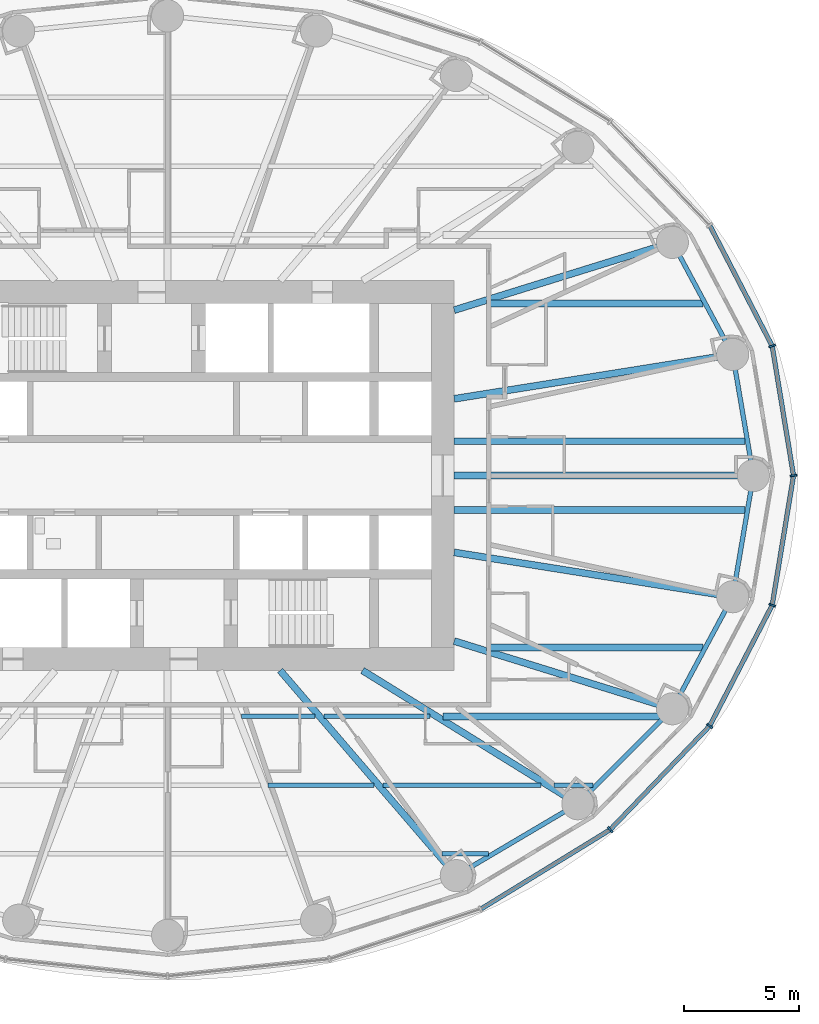
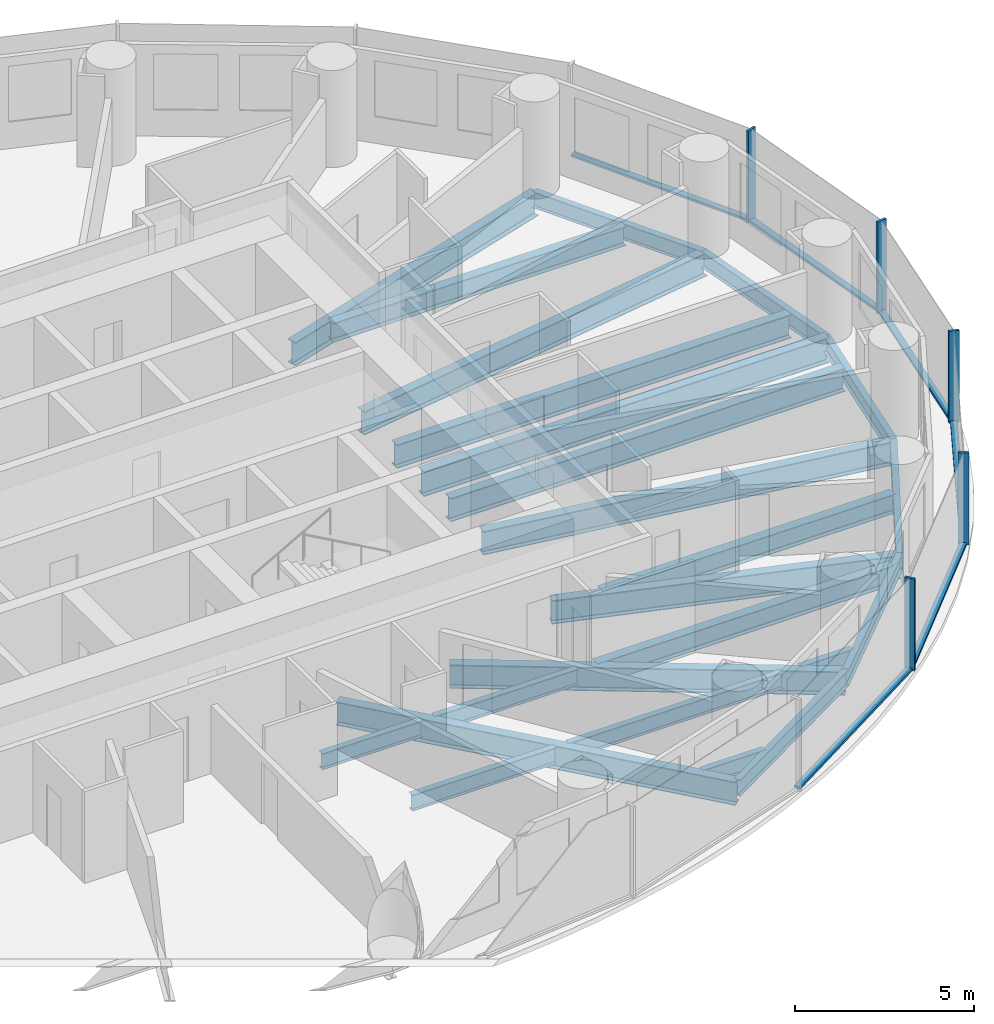
# One storey, part 3 of 16: 24 beams, 11 members, 2 elements without a shape of their own.
"""IFC4 building model written with IfcOpenShell, lengths in metres."""

from ifc_helpers import new_model, si_unit, direction, frame, origin, origin_2d, place, context, subcontext, project, spatial, rectangle, i_section, extrude, material, material_profile, profile_set, type_object, element, aggregate, save


model = new_model("IFC4")

# Units and contexts
model_context = context("Model", 3, precision=1e-05, world=origin(), true_north=direction((0.0, 1.0)))
body_context = subcontext(model_context, "Body", "Model", "MODEL_VIEW")
ifc_project = project(units=[si_unit("LENGTHUNIT", "METRE"), si_unit("AREAUNIT", "SQUARE_METRE"), si_unit("VOLUMEUNIT", "CUBIC_METRE"), si_unit("PLANEANGLEUNIT", "RADIAN"), si_unit("MASSUNIT", "GRAM", prefix="KILO")], contexts=[model_context])

# Site, building, storey
site_placement = place(None, origin())
site = spatial("IfcSite", under=ifc_project, at=site_placement, CompositionType="ELEMENT")
building_placement = place(site_placement, origin())
building = spatial("IfcBuilding", under=site, at=building_placement, Name="Hankou Lantern Tower", CompositionType="ELEMENT")
storey_placement = place(building_placement, frame((0.0, 0.0, 70.5)))
storey = spatial("IfcBuildingStorey", under=building, at=storey_placement, Name="L17", CompositionType="ELEMENT", Elevation=70.5)

# Beams
ifc_material_1 = material(Name="Steel Q355B", Category="steel")
ifc_material_profile_1 = material_profile(ifc_material_1, i_section(OverallWidth=0.199951171875, OverallDepth=0.550048828125, WebThickness=0.010009765625, FlangeThickness=0.01611328125, FilletRadius=0.012939453125, at=origin_2d()), Name="HN550x200x10x16")
ifc_profile_set_1 = profile_set([ifc_material_profile_1], Name="Steel Q355B")
beam_type_1 = type_object("IfcBeamType", Name="EB6 RING BEAM HN550x200x10x16", PredefinedType="SPANDREL", material=ifc_profile_set_1)
beam_1_placement = place(storey_placement, frame((25.550048828125, 0.0, -0.455078125), z_axis=(-0.168489691988, 0.985703415685, 0.0), x_axis=(-0.985703415685, -0.168489691988, 0.0)))
element("IfcBeam", 1, at=beam_1_placement, inside=storey, type_object=beam_type_1, Name="Ring beam R01-R02 L17", PredefinedType="SPANDREL", context=body_context, shape_type="SweptSolid", body=[
    extrude(i_section(OverallWidth=0.199951171875, OverallDepth=0.550048828125, WebThickness=0.010009765625, FlangeThickness=0.01611328125, FilletRadius=0.012939453125, at=origin_2d()), origin(), (0.0, 0.0, 1.0), 5.35986328125),
])
beam_2_placement = place(storey_placement, frame((24.64697265625, 5.283203125, -0.455078125), z_axis=(-0.473609096023, 0.880735161194, 0.0), x_axis=(-0.880735161194, -0.473609096023, 0.0)))
element("IfcBeam", 2, at=beam_2_placement, inside=storey, type_object=beam_type_1, Name="Ring beam R02-R03 L17", PredefinedType="SPANDREL", context=body_context, shape_type="SweptSolid", body=[
    extrude(i_section(OverallWidth=0.199951171875, OverallDepth=0.550048828125, WebThickness=0.010009765625, FlangeThickness=0.01611328125, FilletRadius=0.012939453125, at=origin_2d()), origin(), (0.0, 0.0, 1.0), 5.548828125),
])
beam_3_placement = place(storey_placement, frame((12.5908203125, -17.446533203125, -0.455078125), z_axis=(0.860881533543, 0.508805449268, 0.0), x_axis=(-0.508805449268, 0.860881533543, 0.0)))
element("IfcBeam", 3, at=beam_3_placement, inside=storey, type_object=beam_type_1, Name="Ring beam R21-R22 L17", PredefinedType="SPANDREL", context=body_context, shape_type="SweptSolid", body=[
    extrude(i_section(OverallWidth=0.199951171875, OverallDepth=0.550048828125, WebThickness=0.010009765625, FlangeThickness=0.01611328125, FilletRadius=0.012939453125, at=origin_2d()), origin(), (0.0, 0.0, 1.0), 6.15771484375),
])
beam_4_placement = place(storey_placement, frame((17.891845703125, -14.3134765625, -0.455078125), z_axis=(0.705727798394, 0.708483079949, 0.0), x_axis=(-0.708483079949, 0.705727798394, 0.0)))
element("IfcBeam", 4, at=beam_4_placement, inside=storey, type_object=beam_type_1, Name="Ring beam R22-R23 L17", PredefinedType="SPANDREL", context=body_context, shape_type="SweptSolid", body=[
    extrude(i_section(OverallWidth=0.199951171875, OverallDepth=0.550048828125, WebThickness=0.010009765625, FlangeThickness=0.01611328125, FilletRadius=0.012939453125, at=origin_2d()), origin(), (0.0, 0.0, 1.0), 5.84814453125),
])
beam_5_placement = place(storey_placement, frame((22.01904296875, -10.170166015625, -0.455078125), z_axis=(0.473609096023, 0.880735161194, 0.0), x_axis=(-0.880735161194, 0.473609096023, 0.0)))
element("IfcBeam", 5, at=beam_5_placement, inside=storey, type_object=beam_type_1, Name="Ring beam R23-R24 L17", PredefinedType="SPANDREL", context=body_context, shape_type="SweptSolid", body=[
    extrude(i_section(OverallWidth=0.199951171875, OverallDepth=0.550048828125, WebThickness=0.010009765625, FlangeThickness=0.01611328125, FilletRadius=0.012939453125, at=origin_2d()), origin(), (0.0, 0.0, 1.0), 5.548828125),
])
beam_6_placement = place(storey_placement, frame((24.64697265625, -5.283203125, -0.455078125), z_axis=(0.168489691988, 0.985703415685, 0.0), x_axis=(-0.985703415685, 0.168489691988, 0.0)))
element("IfcBeam", 6, at=beam_6_placement, inside=storey, type_object=beam_type_1, Name="Ring beam R24-R01 L17", PredefinedType="SPANDREL", context=body_context, shape_type="SweptSolid", body=[
    extrude(i_section(OverallWidth=0.199951171875, OverallDepth=0.550048828125, WebThickness=0.010009765625, FlangeThickness=0.01611328125, FilletRadius=0.012939453125, at=origin_2d()), origin(), (0.0, 0.0, 1.0), 5.35986328125),
])

# Curtain wall, members
ifc_material_2 = material(Name="Glass, dark grey tinted laminated", Category="glass")
curtain_wall_type = type_object("IfcCurtainWallType", Name="CWA OUTER SKIN LOW-RISE", PredefinedType="USERDEFINED", material=ifc_material_2)
curtain_wall_1_placement = place(storey_placement, origin())
curtain_wall_1 = element("IfcCurtainWall", 7, at=curtain_wall_1_placement, inside=storey, type_object=curtain_wall_type, Name="CWA L17 OS1", ObjectType="OUTER SKIN LOW-RISE", PredefinedType="USERDEFINED")
ifc_material_3 = material(Name="Aluminium, black anodised", Category="aluminium")
ifc_material_profile_2 = material_profile(ifc_material_3, rectangle(XDim=0.080078125, YDim=0.300048828125, at=origin_2d()), Name="MU1 80X300")
ifc_profile_set_2 = profile_set([ifc_material_profile_2], Name="Aluminium, black anodised")
member_type_1 = type_object("IfcMemberType", Name="MU1 OUTER SKIN MULLION 80X300", PredefinedType="MULLION", material=ifc_profile_set_2)
member_1_placement = place(storey_placement, frame((27.300048828125, 0.0, 0.0), z_axis=(0.0, 0.0, 1.0), x_axis=(-0.162381515188, 0.986728049427, 0.0)))
member_1 = element("IfcMember", 8, at=member_1_placement, type_object=member_type_1, Name="CWA mullion 1", PredefinedType="MULLION", context=body_context, shape_type="SweptSolid", body=[
    extrude(rectangle(XDim=0.080078125, YDim=0.300048828125, at=origin_2d()), origin(), (0.0, 0.0, 1.0), 3.1201171875),
])
member_2_placement = place(storey_placement, frame((26.369873046875, 5.652587890625, 0.0), z_axis=(0.0, 0.0, 1.0), x_axis=(-0.317595577365, 0.94822626479, 0.0)))
member_2 = element("IfcMember", 9, at=member_2_placement, type_object=member_type_1, Name="CWA mullion 2", PredefinedType="MULLION", context=body_context, shape_type="SweptSolid", body=[
    extrude(rectangle(XDim=0.080078125, YDim=0.300048828125, at=origin_2d()), origin(), (0.0, 0.0, 1.0), 3.1201171875),
])

curtain_wall_2_placement = place(storey_placement, origin())
curtain_wall_2 = element("IfcCurtainWall", 10, at=curtain_wall_2_placement, inside=storey, type_object=curtain_wall_type, Name="CWA L17 OS4", ObjectType="OUTER SKIN LOW-RISE", PredefinedType="USERDEFINED")
member_3_placement = place(storey_placement, frame((19.303955078125, -15.443115234375, 0.0), z_axis=(0.0, 0.0, 1.0), x_axis=(0.780868809444, 0.624695047553, 0.0)))
member_3 = element("IfcMember", 11, at=member_3_placement, type_object=member_type_1, Name="CWA mullion 4", PredefinedType="MULLION", context=body_context, shape_type="SweptSolid", body=[
    extrude(rectangle(XDim=0.080078125, YDim=0.300048828125, at=origin_2d()), origin(), (0.0, 0.0, 1.0), 3.1201171875),
])
member_4_placement = place(storey_placement, frame((23.642578125, -10.919921875, 0.0), z_axis=(0.0, 0.0, 1.0), x_axis=(0.585205735974, 0.810884854084, 0.0)))
member_4 = element("IfcMember", 12, at=member_4_placement, type_object=member_type_1, Name="CWA mullion 5", PredefinedType="MULLION", context=body_context, shape_type="SweptSolid", body=[
    extrude(rectangle(XDim=0.080078125, YDim=0.300048828125, at=origin_2d()), origin(), (0.0, 0.0, 1.0), 3.1201171875),
])
member_5_placement = place(storey_placement, frame((26.369873046875, -5.652587890625, 0.0), z_axis=(0.0, 0.0, 1.0), x_axis=(0.317595577365, 0.94822626479, 0.0)))
member_5 = element("IfcMember", 13, at=member_5_placement, type_object=member_type_1, Name="CWA mullion 6", PredefinedType="MULLION", context=body_context, shape_type="SweptSolid", body=[
    extrude(rectangle(XDim=0.080078125, YDim=0.300048828125, at=origin_2d()), origin(), (0.0, 0.0, 1.0), 3.1201171875),
])

# Beams
ifc_material_4 = material(Name="Steel Q355B", Category="steel")
ifc_material_profile_3 = material_profile(ifc_material_4, i_section(OverallWidth=0.300048828125, OverallDepth=0.800048828125, WebThickness=0.013916015625, FlangeThickness=0.02587890625, FilletRadius=0.01806640625, at=origin_2d()), Name="HN800x300x14x26")
ifc_profile_set_3 = profile_set([ifc_material_profile_3], Name="Steel Q355B")
beam_type_2 = type_object("IfcBeamType", Name="RB11 RADIAL BEAM HN800x300x14x26", PredefinedType="BEAM", material=ifc_profile_set_3)
beam_7_placement = place(storey_placement, frame((12.5, 3.349365234375, -0.580078125), z_axis=(0.987563081343, 0.157223281893, 0.0), x_axis=(-0.157223281893, 0.987563081343, 0.0)))
element("IfcBeam", 14, at=beam_7_placement, inside=storey, type_object=beam_type_2, Name="Radial beam R02 L17", PredefinedType="BEAM", context=body_context, shape_type="SweptSolid", body=[
    extrude(i_section(OverallWidth=0.300048828125, OverallDepth=0.800048828125, WebThickness=0.013916015625, FlangeThickness=0.02587890625, FilletRadius=0.01806640625, at=origin_2d()), origin(), (0.0, 0.0, 1.0), 12.300048828125),
])
beam_8_placement = place(storey_placement, frame((12.5, 7.216796875, -0.580078125), z_axis=(0.955087327755, 0.29632447817, 0.0), x_axis=(-0.29632447817, 0.955087327755, 0.0)))
element("IfcBeam", 15, at=beam_8_placement, inside=storey, type_object=beam_type_2, Name="Radial beam R03 L17", PredefinedType="BEAM", context=body_context, shape_type="SweptSolid", body=[
    extrude(i_section(OverallWidth=0.300048828125, OverallDepth=0.800048828125, WebThickness=0.013916015625, FlangeThickness=0.02587890625, FilletRadius=0.01806640625, at=origin_2d()), origin(), (0.0, 0.0, 1.0), 9.966552734375),
])
beam_9_placement = place(storey_placement, frame((4.907470703125, -8.5, -0.580078125), z_axis=(0.651519061225, -0.758632264579, 0.0), x_axis=(0.758632264579, 0.651519061225, 0.0)))
element("IfcBeam", 16, at=beam_9_placement, inside=storey, type_object=beam_type_2, Name="Radial beam R21 L17", PredefinedType="BEAM", context=body_context, shape_type="SweptSolid", body=[
    extrude(i_section(OverallWidth=0.300048828125, OverallDepth=0.800048828125, WebThickness=0.013916015625, FlangeThickness=0.02587890625, FilletRadius=0.01806640625, at=origin_2d()), origin(), (0.0, 0.0, 1.0), 11.79296875),
])
beam_10_placement = place(storey_placement, frame((8.5, -8.5, -0.580078125), z_axis=(0.850286343288, -0.526320372414, 0.0), x_axis=(0.526320372414, 0.850286343288, 0.0)))
element("IfcBeam", 17, at=beam_10_placement, inside=storey, type_object=beam_type_2, Name="Radial beam R22 L17", PredefinedType="BEAM", context=body_context, shape_type="SweptSolid", body=[
    extrude(i_section(OverallWidth=0.300048828125, OverallDepth=0.800048828125, WebThickness=0.013916015625, FlangeThickness=0.02587890625, FilletRadius=0.01806640625, at=origin_2d()), origin(), (0.0, 0.0, 1.0), 11.04541015625),
])
beam_11_placement = place(storey_placement, frame((12.5, -7.216796875, -0.580078125), z_axis=(0.955087327755, -0.29632447817, 0.0), x_axis=(0.29632447817, 0.955087327755, 0.0)))
element("IfcBeam", 18, at=beam_11_placement, inside=storey, type_object=beam_type_2, Name="Radial beam R23 L17", PredefinedType="BEAM", context=body_context, shape_type="SweptSolid", body=[
    extrude(i_section(OverallWidth=0.300048828125, OverallDepth=0.800048828125, WebThickness=0.013916015625, FlangeThickness=0.02587890625, FilletRadius=0.01806640625, at=origin_2d()), origin(), (0.0, 0.0, 1.0), 9.966552734375),
])
beam_12_placement = place(storey_placement, frame((12.5, -3.349365234375, -0.580078125), z_axis=(0.987563081343, -0.157223281893, 0.0), x_axis=(0.157223281893, 0.987563081343, 0.0)))
element("IfcBeam", 19, at=beam_12_placement, inside=storey, type_object=beam_type_2, Name="Radial beam R24 L17", PredefinedType="BEAM", context=body_context, shape_type="SweptSolid", body=[
    extrude(i_section(OverallWidth=0.300048828125, OverallDepth=0.800048828125, WebThickness=0.013916015625, FlangeThickness=0.02587890625, FilletRadius=0.01806640625, at=origin_2d()), origin(), (0.0, 0.0, 1.0), 12.300048828125),
])
ifc_material_5 = material(Name="Steel Q355B", Category="steel")
ifc_material_profile_4 = material_profile(ifc_material_5, i_section(OverallWidth=0.300048828125, OverallDepth=0.85009765625, WebThickness=0.01611328125, FlangeThickness=0.027099609375, FilletRadius=0.01806640625, at=origin_2d()), Name="HN850x300x16x27")
ifc_profile_set_4 = profile_set([ifc_material_profile_4], Name="Steel Q355B")
beam_type_3 = type_object("IfcBeamType", Name="RB12 RADIAL BEAM HN850x300x16x27", PredefinedType="BEAM", material=ifc_profile_set_4)
beam_13_placement = place(storey_placement, frame((12.5, 0.0, -0.60498046875), z_axis=(1.0, 0.0, 0.0), x_axis=(0.0, 1.0, 0.0)))
element("IfcBeam", 20, at=beam_13_placement, inside=storey, type_object=beam_type_3, Name="Radial beam R01 L17", PredefinedType="BEAM", context=body_context, shape_type="SweptSolid", body=[
    extrude(i_section(OverallWidth=0.300048828125, OverallDepth=0.85009765625, WebThickness=0.01611328125, FlangeThickness=0.027099609375, FilletRadius=0.01806640625, at=origin_2d()), origin(), (0.0, 0.0, 1.0), 13.050048828125),
])
ifc_material_6 = material(Name="Steel Q355B", Category="steel")
ifc_material_profile_5 = material_profile(ifc_material_6, i_section(OverallWidth=0.300048828125, OverallDepth=0.800048828125, WebThickness=0.013916015625, FlangeThickness=0.02587890625, FilletRadius=0.01806640625, at=origin_2d()), Name="HN800x300x14x26")
ifc_profile_set_5 = profile_set([ifc_material_profile_5], Name="Steel Q355B")
beam_type_4 = type_object("IfcBeamType", Name="SB11 SECONDARY BEAM HN800x300x14x26", PredefinedType="JOIST", material=ifc_profile_set_5)
for number, where, z_axis, x_axis, name in (
    (21, (12.5, -1.5, -0.580078125), (1.0, 0.0, 0.0), (0.0, 1.0, 0.0), "Floor joist J030 L17"),
    (22, (12.5, 1.5, -0.580078125), (1.0, 0.0, 0.0), (0.0, 1.0, 0.0), "Floor joist J032 L17"),
):
    element("IfcBeam", number, at=place(storey_placement, frame(where, z_axis=z_axis, x_axis=x_axis)), inside=storey, type_object=beam_type_4, Name=name, PredefinedType="JOIST", context=body_context, shape_type="SweptSolid", body=[
        extrude(i_section(OverallWidth=0.300048828125, OverallDepth=0.800048828125, WebThickness=0.013916015625, FlangeThickness=0.02587890625, FilletRadius=0.01806640625, at=origin_2d()), origin(), (0.0, 0.0, 1.0), 12.692138671875),
    ])
ifc_material_7 = material(Name="Steel Q355B", Category="steel")
ifc_material_profile_6 = material_profile(ifc_material_7, i_section(OverallWidth=0.199951171875, OverallDepth=0.550048828125, WebThickness=0.010009765625, FlangeThickness=0.01611328125, FilletRadius=0.012939453125, at=origin_2d()), Name="HN550x200x10x16")
ifc_profile_set_6 = profile_set([ifc_material_profile_6], Name="Steel Q355B")
beam_type_5 = type_object("IfcBeamType", Name="SB6 SECONDARY BEAM HN550x200x10x16", PredefinedType="JOIST", material=ifc_profile_set_6)
beam_14_placement = place(storey_placement, frame((11.975830078125, -16.5, -0.455078125), z_axis=(1.0, 0.0, 0.0), x_axis=(0.0, 1.0, 0.0)))
element("IfcBeam", 23, at=beam_14_placement, inside=storey, type_object=beam_type_5, Name="Floor joist J006 L17", PredefinedType="JOIST", context=body_context, shape_type="SweptSolid", body=[
    extrude(i_section(OverallWidth=0.199951171875, OverallDepth=0.550048828125, WebThickness=0.010009765625, FlangeThickness=0.01611328125, FilletRadius=0.012939453125, at=origin_2d()), origin(), (0.0, 0.0, 1.0), 2.019775390625),
])
beam_15_placement = place(storey_placement, frame((4.37451171875, -13.5, -0.455078125), z_axis=(1.0, 0.0, 0.0), x_axis=(0.0, 1.0, 0.0)))
element("IfcBeam", 24, at=beam_15_placement, inside=storey, type_object=beam_type_5, Name="Floor joist J012 L17", PredefinedType="JOIST", context=body_context, shape_type="SweptSolid", body=[
    extrude(i_section(OverallWidth=0.199951171875, OverallDepth=0.550048828125, WebThickness=0.010009765625, FlangeThickness=0.01611328125, FilletRadius=0.012939453125, at=origin_2d()), origin(), (0.0, 0.0, 1.0), 4.62939453125),
])
beam_16_placement = place(storey_placement, frame((9.3994140625, -13.5, -0.455078125), z_axis=(1.0, 0.0, 0.0), x_axis=(0.0, 1.0, 0.0)))
element("IfcBeam", 25, at=beam_16_placement, inside=storey, type_object=beam_type_5, Name="Floor joist J013 L17", PredefinedType="JOIST", context=body_context, shape_type="SweptSolid", body=[
    extrude(i_section(OverallWidth=0.199951171875, OverallDepth=0.550048828125, WebThickness=0.010009765625, FlangeThickness=0.01611328125, FilletRadius=0.012939453125, at=origin_2d()), origin(), (0.0, 0.0, 1.0), 6.893310546875),
])
beam_17_placement = place(storey_placement, frame((16.86279296875, -13.5, -0.455078125), z_axis=(1.0, 0.0, 0.0), x_axis=(0.0, 1.0, 0.0)))
element("IfcBeam", 26, at=beam_17_placement, inside=storey, type_object=beam_type_5, Name="Floor joist J014 L17", PredefinedType="JOIST", context=body_context, shape_type="SweptSolid", body=[
    extrude(i_section(OverallWidth=0.199951171875, OverallDepth=0.550048828125, WebThickness=0.010009765625, FlangeThickness=0.01611328125, FilletRadius=0.012939453125, at=origin_2d()), origin(), (0.0, 0.0, 1.0), 1.697998046875),
])
beam_18_placement = place(storey_placement, frame((3.212890625, -10.5, -0.455078125), z_axis=(1.0, 0.0, 0.0), x_axis=(0.0, 1.0, 0.0)))
element("IfcBeam", 27, at=beam_18_placement, inside=storey, type_object=beam_type_5, Name="Floor joist J020 L17", PredefinedType="JOIST", context=body_context, shape_type="SweptSolid", body=[
    extrude(i_section(OverallWidth=0.199951171875, OverallDepth=0.550048828125, WebThickness=0.010009765625, FlangeThickness=0.01611328125, FilletRadius=0.012939453125, at=origin_2d()), origin(), (0.0, 0.0, 1.0), 3.214599609375),
])
beam_19_placement = place(storey_placement, frame((6.82275390625, -10.5, -0.455078125), z_axis=(1.0, 0.0, 0.0), x_axis=(0.0, 1.0, 0.0)))
element("IfcBeam", 28, at=beam_19_placement, inside=storey, type_object=beam_type_5, Name="Floor joist J021 L17", PredefinedType="JOIST", context=body_context, shape_type="SweptSolid", body=[
    extrude(i_section(OverallWidth=0.199951171875, OverallDepth=0.550048828125, WebThickness=0.010009765625, FlangeThickness=0.01611328125, FilletRadius=0.012939453125, at=origin_2d()), origin(), (0.0, 0.0, 1.0), 4.623291015625),
])
ifc_material_8 = material(Name="Steel Q355B", Category="steel")
ifc_material_profile_7 = material_profile(ifc_material_8, i_section(OverallWidth=0.300048828125, OverallDepth=0.64990234375, WebThickness=0.010986328125, FlangeThickness=0.01708984375, FilletRadius=0.01806640625, at=origin_2d()), Name="HN650x300x11x17")
ifc_profile_set_7 = profile_set([ifc_material_profile_7], Name="Steel Q355B")
beam_type_6 = type_object("IfcBeamType", Name="SB8 SECONDARY BEAM HN650x300x11x17", PredefinedType="JOIST", material=ifc_profile_set_7)
beam_20_placement = place(storey_placement, frame((12.01611328125, -10.5, -0.5048828125), z_axis=(1.0, 0.0, 0.0), x_axis=(0.0, 1.0, 0.0)))
element("IfcBeam", 29, at=beam_20_placement, inside=storey, type_object=beam_type_6, Name="Floor joist J022 L17", PredefinedType="JOIST", context=body_context, shape_type="SweptSolid", body=[
    extrude(i_section(OverallWidth=0.300048828125, OverallDepth=0.64990234375, WebThickness=0.010986328125, FlangeThickness=0.01708984375, FilletRadius=0.01806640625, at=origin_2d()), origin(), (0.0, 0.0, 1.0), 9.533203125),
])
for number, where, z_axis, x_axis, name in (
    (30, (13.918701171875, -7.5, -0.5048828125), (1.0, 0.0, 0.0), (0.0, 1.0, 0.0), "Floor joist J024 L17"),
    (31, (13.918701171875, 7.5, -0.5048828125), (1.0, 0.0, 0.0), (0.0, 1.0, 0.0), "Floor joist J038 L17"),
):
    element("IfcBeam", number, at=place(storey_placement, frame(where, z_axis=z_axis, x_axis=x_axis)), inside=storey, type_object=beam_type_6, Name=name, PredefinedType="JOIST", context=body_context, shape_type="SweptSolid", body=[
        extrude(i_section(OverallWidth=0.300048828125, OverallDepth=0.64990234375, WebThickness=0.010986328125, FlangeThickness=0.01708984375, FilletRadius=0.01806640625, at=origin_2d()), origin(), (0.0, 0.0, 1.0), 9.4228515625),
    ])

# Member
ifc_material_9 = material(Name="Aluminium, black anodised", Category="aluminium")
ifc_material_profile_8 = material_profile(ifc_material_9, rectangle(XDim=0.199951171875, YDim=0.080078125, at=origin_2d()), Name="TR1 200X80")
ifc_profile_set_8 = profile_set([ifc_material_profile_8], Name="Aluminium, black anodised")
member_type_2 = type_object("IfcMemberType", Name="TR1 OUTER SKIN TRANSOM 200X80", PredefinedType="USERDEFINED", material=ifc_profile_set_8)
member_6_placement = place(storey_placement, frame((27.29345703125, 0.03955078125, 0.0400390625), z_axis=(-0.162387045529, 0.986727139307, 0.0), x_axis=(-0.986727139307, -0.162387045529, 0.0)))
member_6 = element("IfcMember", 32, at=member_6_placement, type_object=member_type_2, Name="CWA transom 1", ObjectType="TRANSOM", PredefinedType="USERDEFINED", context=body_context, shape_type="SweptSolid", body=[
    extrude(rectangle(XDim=0.199951171875, YDim=0.080078125, at=origin_2d()), origin(), (0.0, 0.0, 1.0), 5.6484375),
])

member_7_placement = place(storey_placement, frame((26.351318359375, 5.688232421875, 0.0400390625), z_axis=(-0.459786096495, 0.888029698529, 0.0), x_axis=(-0.888029698529, -0.459786096495, 0.0)))
member_7 = element("IfcMember", 33, at=member_7_placement, type_object=member_type_2, Name="CWA transom 2", ObjectType="TRANSOM", PredefinedType="USERDEFINED", context=body_context, shape_type="SweptSolid", body=[
    extrude(rectangle(XDim=0.199951171875, YDim=0.080078125, at=origin_2d()), origin(), (0.0, 0.0, 1.0), 5.8515625),
])

aggregate(curtain_wall_1, [member_1, member_2, member_6, member_7])

member_8_placement = place(storey_placement, frame((13.68408203125, -18.89306640625, 0.0400390625), z_axis=(0.85223969557, 0.523151508929, 0.0), x_axis=(-0.523151508929, 0.85223969557, 0.0)))
member_8 = element("IfcMember", 34, at=member_8_placement, type_object=member_type_2, Name="CWA transom 3", ObjectType="TRANSOM", PredefinedType="USERDEFINED", context=body_context, shape_type="SweptSolid", body=[
    extrude(rectangle(XDim=0.199951171875, YDim=0.080078125, at=origin_2d()), origin(), (0.0, 0.0, 1.0), 6.554443359375),
])

member_9_placement = place(storey_placement, frame((19.331787109375, -15.414306640625, 0.0400390625), z_axis=(0.692215537374, 0.721690827029, 0.0), x_axis=(-0.721690827029, 0.692215537374, 0.0)))
member_9 = element("IfcMember", 35, at=member_9_placement, type_object=member_type_2, Name="CWA transom 4", ObjectType="TRANSOM", PredefinedType="USERDEFINED", context=body_context, shape_type="SweptSolid", body=[
    extrude(rectangle(XDim=0.199951171875, YDim=0.080078125, at=origin_2d()), origin(), (0.0, 0.0, 1.0), 6.187255859375),
])

member_10_placement = place(storey_placement, frame((23.660888671875, -10.884521484375, 0.0400390625), z_axis=(0.459786096495, 0.888029698529, 0.0), x_axis=(-0.888029698529, 0.459786096495, 0.0)))
member_10 = element("IfcMember", 36, at=member_10_placement, type_object=member_type_2, Name="CWA transom 5", ObjectType="TRANSOM", PredefinedType="USERDEFINED", context=body_context, shape_type="SweptSolid", body=[
    extrude(rectangle(XDim=0.199951171875, YDim=0.080078125, at=origin_2d()), origin(), (0.0, 0.0, 1.0), 5.8515625),
])

member_11_placement = place(storey_placement, frame((26.376220703125, -5.613037109375, 0.0400390625), z_axis=(0.162387045529, 0.986727139307, 0.0), x_axis=(-0.986727139307, 0.162387045529, 0.0)))
member_11 = element("IfcMember", 37, at=member_11_placement, type_object=member_type_2, Name="CWA transom 6", ObjectType="TRANSOM", PredefinedType="USERDEFINED", context=body_context, shape_type="SweptSolid", body=[
    extrude(rectangle(XDim=0.199951171875, YDim=0.080078125, at=origin_2d()), origin(), (0.0, 0.0, 1.0), 5.6484375),
])

aggregate(curtain_wall_2, [member_3, member_4, member_5, member_8, member_9, member_10, member_11])

save(model, "model.ifc")
